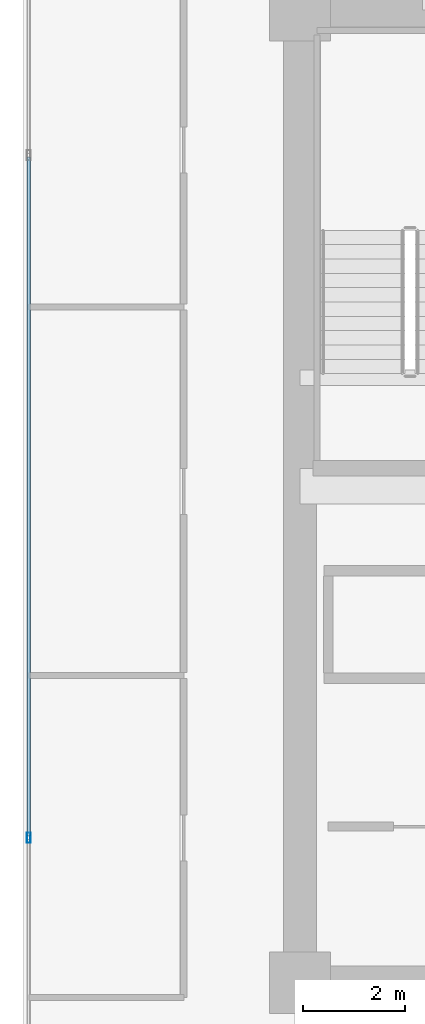
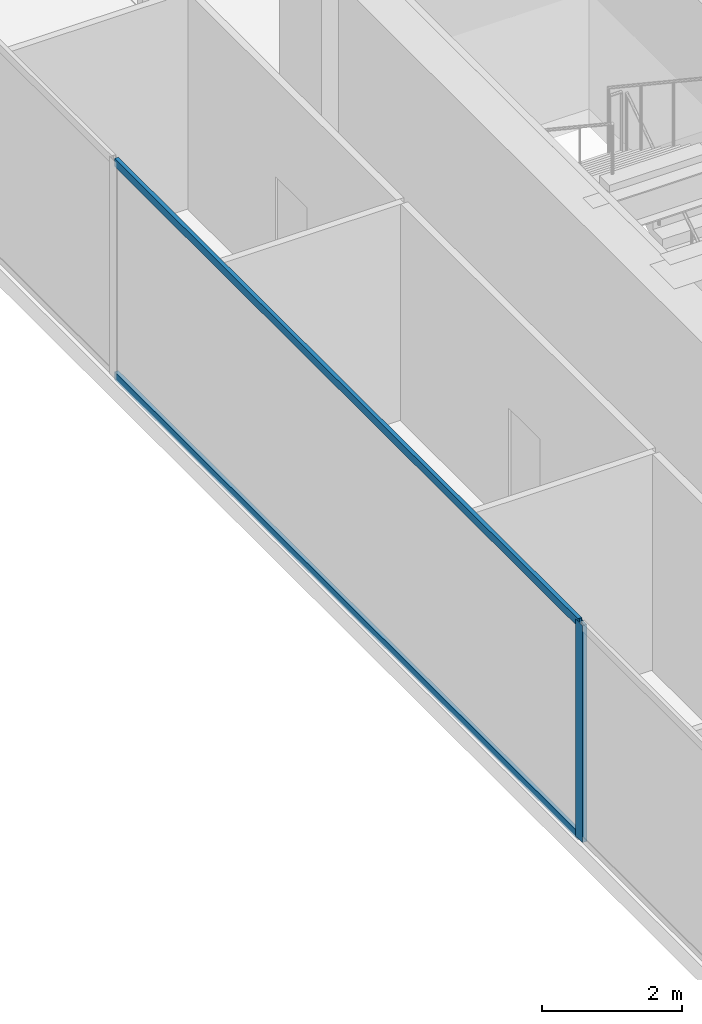
# One storey, part 6 of 34: 3 members, 1 element without a shape of its own.
"""IFC4 building model written with IfcOpenShell, lengths in metres."""

from ifc_helpers import new_model, si_unit, direction, frame, origin, origin_2d, place, context, subcontext, project, spatial, hollow_rectangle, extrude, source, transform, mapped, material, layer, layer_set, material_profile, profile_set, type_object, type_shapes, element, aggregate, save


model = new_model("IFC4")

# Units and contexts
model_context = context("Model", 3, precision=1e-05, world=origin(), true_north=direction((0.0, 1.0)))
body_context = subcontext(model_context, "Body", "Model", "MODEL_VIEW")
ifc_project = project(units=[si_unit("LENGTHUNIT", "METRE"), si_unit("AREAUNIT", "SQUARE_METRE"), si_unit("VOLUMEUNIT", "CUBIC_METRE"), si_unit("PLANEANGLEUNIT", "RADIAN"), si_unit("MASSUNIT", "GRAM", prefix="KILO")], contexts=[model_context])

# Site, building, storey
site_placement = place(None, origin())
site = spatial("IfcSite", under=ifc_project, at=site_placement, CompositionType="ELEMENT")
building_placement = place(site_placement, origin())
building = spatial("IfcBuilding", under=site, at=building_placement, Name="Haelvirn Gate Laboratories", CompositionType="ELEMENT")
storey_placement = place(building_placement, frame((0.0, 0.0, 109.199951171875)))
storey = spatial("IfcBuildingStorey", under=building, at=storey_placement, Name="L26", CompositionType="ELEMENT", Elevation=109.199951171875)

# Curtain wall, members
ifc_material_1 = material(Name="Anodised bronze unitised aluminium & triple low-E glass", Category="aluminium")
ifc_layer = layer(ifc_material_1, 0.179931640625, Name="CW-SYS-3")
ifc_layer_set = layer_set([ifc_layer], Name="Anodised bronze unitised aluminium & triple low-E glass")
curtain_wall_type = type_object("IfcCurtainWallType", Name="CW-SYS-3", PredefinedType="NOTDEFINED", material=ifc_layer_set)
curtain_wall_placement = place(storey_placement, origin())
curtain_wall = element("IfcCurtainWall", 1, at=curtain_wall_placement, inside=storey, type_object=curtain_wall_type, Name="L26 Unitised Curtain Wall CW-L26-P0-E17", PredefinedType="NOTDEFINED")
ifc_material_2 = material(Name="Extruded aluminium 6063-T6 (anodised bronze)", Category="aluminium")
ifc_material_profile_1 = material_profile(ifc_material_2, hollow_rectangle(XDim=0.06494140625, YDim=0.139892578125, WallThickness=0.00390625, at=origin_2d()), Name="CWT-140x65x4")
ifc_profile_set_1 = profile_set([ifc_material_profile_1], Name="Extruded aluminium 6063-T6 (anodised bronze)")
member_type_1 = type_object("IfcMemberType", Name="CWT-T140", PredefinedType="USERDEFINED", material=ifc_profile_set_1)
shared_shape_1 = source(origin(), body_context, "Body", "SweptSolid", [
    extrude(hollow_rectangle(XDim=0.06494140625, YDim=0.139892578125, WallThickness=0.00390625, at=origin_2d()), origin(), (0.0, 0.0, 1.0), 13.25830078125),
])
type_shapes(member_type_1, [shared_shape_1])
member_1_placement = place(storey_placement, frame((2.10009765625, 30.92919921875, 0.032470703125), z_axis=(0.0, -1.0, 0.0), x_axis=(1.0, 0.0, 0.0)))
member_1 = element("IfcMember", 2, at=member_1_placement, type_object=member_type_1, Name="CW3 transom 2.1", ObjectType="TRANSOM", PredefinedType="USERDEFINED", context=body_context, shape_type="MappedRepresentation", body=[
    mapped(shared_shape_1, transform((0.0, 0.0, 0.0), scale=1.0)),
])
member_2_placement = place(storey_placement, frame((2.10009765625, 30.92919921875, 3.757568359375), z_axis=(0.0, -1.0, 0.0), x_axis=(1.0, 0.0, 0.0)))
member_2 = element("IfcMember", 3, at=member_2_placement, type_object=member_type_1, Name="CW3 transom 2.2", ObjectType="TRANSOM", PredefinedType="USERDEFINED", context=body_context, shape_type="MappedRepresentation", body=[
    mapped(shared_shape_1, transform((0.0, 0.0, 0.0), scale=1.0)),
])
ifc_material_profile_2 = material_profile(ifc_material_2, hollow_rectangle(XDim=0.074951171875, YDim=0.199951171875, WallThickness=0.0048828125, at=origin_2d()), Name="CWM-200x75x5")
ifc_profile_set_2 = profile_set([ifc_material_profile_2], Name="Extruded aluminium 6063-T6 (anodised bronze)")
member_type_2 = type_object("IfcMemberType", Name="CWM-T200", PredefinedType="MULLION", material=ifc_profile_set_2)
shared_shape_2 = source(origin(), body_context, "Body", "SweptSolid", [
    extrude(hollow_rectangle(XDim=0.074951171875, YDim=0.199951171875, WallThickness=0.0048828125, at=origin_2d()), origin(), (0.0, 0.0, 1.0), 3.7900390625),
])
type_shapes(member_type_2, [shared_shape_2])
member_3_placement = place(storey_placement, frame((2.10009765625, 17.63330078125, 0.0), z_axis=(0.0, 0.0, 1.0), x_axis=(1.0, 0.0, 0.0)))
member_3 = element("IfcMember", 4, at=member_3_placement, type_object=member_type_2, Name="CW3 mullion 3", PredefinedType="MULLION", context=body_context, shape_type="MappedRepresentation", body=[
    mapped(shared_shape_2, transform((0.0, 0.0, 0.0), scale=1.0)),
])
aggregate(curtain_wall, [member_3, member_1, member_2])

save(model, "model.ifc")
